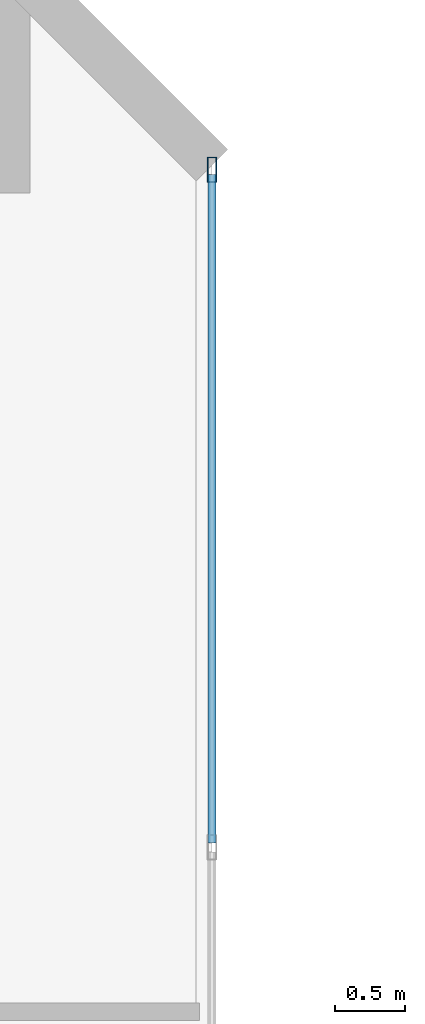
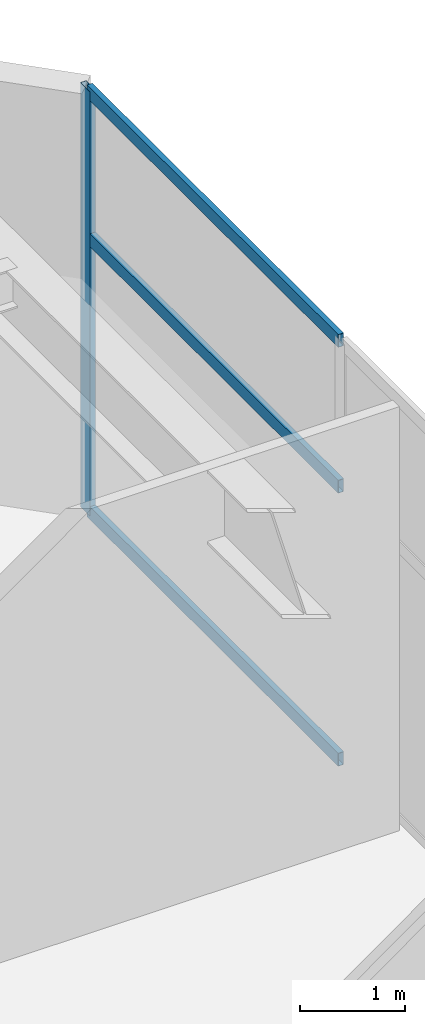
# One storey, part 12 of 22: 4 members, 1 element without a shape of its own.
"""IFC4 building model written with IfcOpenShell, lengths in metres."""

from ifc_helpers import new_model, si_unit, direction, frame, origin, origin_2d, place, context, subcontext, project, spatial, hollow_rectangle, extrude, material, layer, layer_set, material_profile, profile_set, type_object, element, aggregate, save


model = new_model("IFC4")

# Units and contexts
model_context = context("Model", 3, precision=1e-05, world=origin(), true_north=direction((0.0, 1.0)))
body_context = subcontext(model_context, "Body", "Model", "MODEL_VIEW")
ifc_project = project(units=[si_unit("LENGTHUNIT", "METRE"), si_unit("AREAUNIT", "SQUARE_METRE"), si_unit("VOLUMEUNIT", "CUBIC_METRE"), si_unit("PLANEANGLEUNIT", "RADIAN"), si_unit("MASSUNIT", "GRAM", prefix="KILO")], contexts=[model_context])

# Site, building, storey
site_placement = place(None, origin())
site = spatial("IfcSite", under=ifc_project, at=site_placement, CompositionType="ELEMENT")
building_placement = place(site_placement, origin())
building = spatial("IfcBuilding", under=site, at=building_placement, Name="Mawjaban Terraces University", CompositionType="ELEMENT")
storey_placement = place(building_placement, frame((0.0, 0.0, 5.199951171875)))
storey = spatial("IfcBuildingStorey", under=building, at=storey_placement, Name="L01", CompositionType="ELEMENT", Elevation=5.199951171875)

# Curtain wall, members
ifc_material_1 = material(Name="Anodised aluminium 6063-T6 and solar-control low-E glass", Category="aluminium")
ifc_layer = layer(ifc_material_1, 0.179931640625)
ifc_layer_set = layer_set([ifc_layer], Name="Anodised aluminium 6063-T6 and solar-control low-E glass")
curtain_wall_type = type_object("IfcCurtainWallType", Name="CWSystem_01_PlazaFoyer", PredefinedType="NOTDEFINED", material=ifc_layer_set)
curtain_wall_placement = place(storey_placement, origin())
curtain_wall = element("IfcCurtainWall", 1, at=curtain_wall_placement, inside=storey, type_object=curtain_wall_type, Name="L01 Curtain Wall CW-01 Run 6.1", PredefinedType="NOTDEFINED")
ifc_material_2 = material(Name="Anodised aluminium 6063-T6", Category="aluminium")
ifc_material_profile_1 = material_profile(ifc_material_2, hollow_rectangle(XDim=0.06494140625, YDim=0.179931640625, WallThickness=0.00390625, at=origin_2d()), Name="ALU180X65X4")
ifc_profile_set_1 = profile_set([ifc_material_profile_1], Name="Anodised aluminium 6063-T6")
member_type_1 = type_object("IfcMemberType", Name="Mullion_CW-01", PredefinedType="MULLION", material=ifc_profile_set_1)
member_1_placement = place(storey_placement, frame((54.0, 51.467529296875, 0.0), z_axis=(0.0, 0.0, 1.0), x_axis=(-1.0, 0.0, 0.0)))
member_1 = element("IfcMember", 2, at=member_1_placement, type_object=member_type_1, Name="CW-01 mullion 5", PredefinedType="MULLION", context=body_context, shape_type="SweptSolid", body=[
    extrude(hollow_rectangle(XDim=0.06494140625, YDim=0.179931640625, WallThickness=0.00390625, at=origin_2d()), origin(), (0.0, 0.0, 1.0), 4.920166015625),
])
ifc_material_profile_2 = material_profile(ifc_material_2, hollow_rectangle(XDim=0.06005859375, YDim=0.14990234375, WallThickness=0.00390625, at=origin_2d()), Name="ALU150X60X4")
ifc_profile_set_2 = profile_set([ifc_material_profile_2], Name="Anodised aluminium 6063-T6")
member_type_2 = type_object("IfcMemberType", Name="Transom_CW-01", PredefinedType="NOTDEFINED", material=ifc_profile_set_2)
member_2_placement = place(storey_placement, frame((54.0, 46.657470703125, 0.030029296875), z_axis=(0.0, 1.0, 0.0), x_axis=(-1.0, 0.0, 0.0)))
member_2 = element("IfcMember", 3, at=member_2_placement, type_object=member_type_2, Name="CW-01 transom 4.1", ObjectType="TRANSOM", PredefinedType="USERDEFINED", context=body_context, shape_type="SweptSolid", body=[
    extrude(hollow_rectangle(XDim=0.06005859375, YDim=0.14990234375, WallThickness=0.00390625, at=origin_2d()), origin(), (0.0, 0.0, 1.0), 4.777587890625),
])
member_3_placement = place(storey_placement, frame((54.0, 46.657470703125, 3.197998046875), z_axis=(0.0, 1.0, 0.0), x_axis=(-1.0, 0.0, 0.0)))
member_3 = element("IfcMember", 4, at=member_3_placement, type_object=member_type_2, Name="CW-01 transom 4.2", ObjectType="TRANSOM", PredefinedType="USERDEFINED", context=body_context, shape_type="SweptSolid", body=[
    extrude(hollow_rectangle(XDim=0.06005859375, YDim=0.14990234375, WallThickness=0.00390625, at=origin_2d()), origin(), (0.0, 0.0, 1.0), 4.777587890625),
])
member_4_placement = place(storey_placement, frame((54.0, 46.657470703125, 4.89013671875), z_axis=(0.0, 1.0, 0.0), x_axis=(-1.0, 0.0, 0.0)))
member_4 = element("IfcMember", 5, at=member_4_placement, type_object=member_type_2, Name="CW-01 transom 4.3", ObjectType="TRANSOM", PredefinedType="USERDEFINED", context=body_context, shape_type="SweptSolid", body=[
    extrude(hollow_rectangle(XDim=0.06005859375, YDim=0.14990234375, WallThickness=0.00390625, at=origin_2d()), origin(), (0.0, 0.0, 1.0), 4.777587890625),
])
aggregate(curtain_wall, [member_1, member_2, member_3, member_4])

save(model, "model.ifc")
